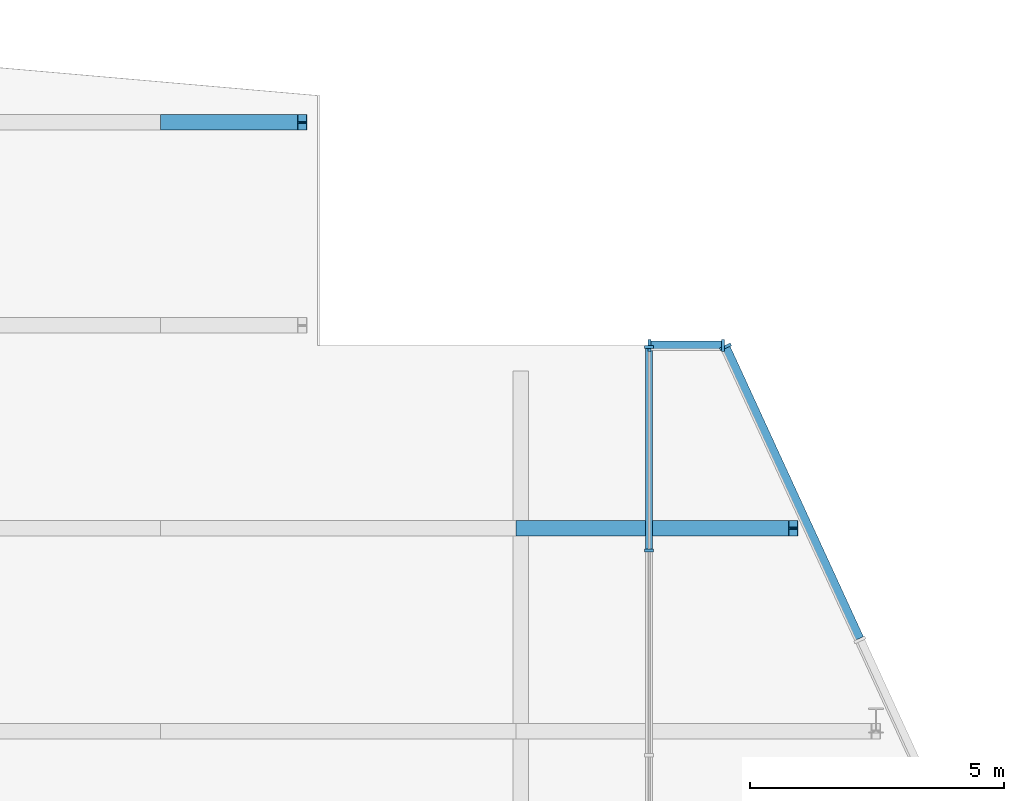
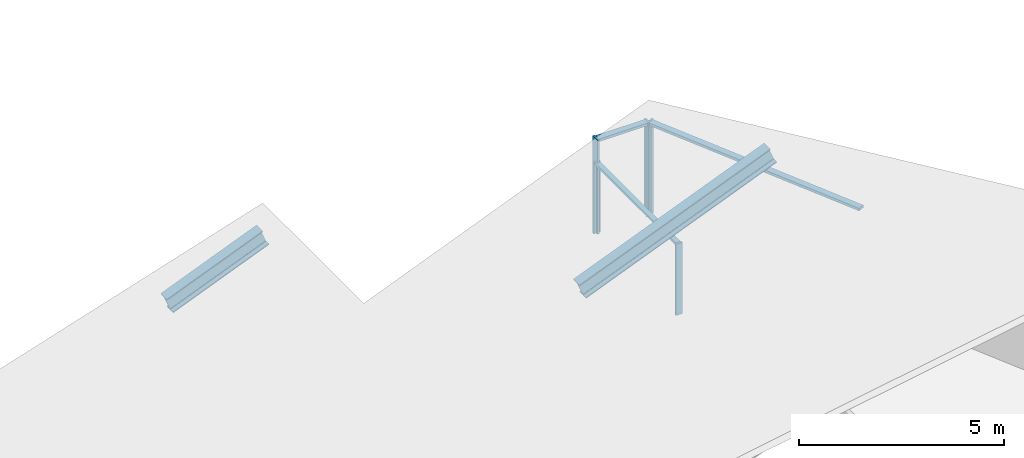
# One storey, part 6 of 8: 10 members, 3 elements without a shape of their own.
"""IFC4 building model written with IfcOpenShell, lengths in metres."""

from ifc_helpers import new_model, si_unit, direction, frame, origin, origin_2d, place, context, subcontext, project, spatial, rectangle, i_section, extrude, material, material_profile, profile_set, type_object, element, aggregate, save


model = new_model("IFC4")

# Units and contexts
model_context = context("Model", 3, precision=1e-05, world=origin(), true_north=direction((0.0, 1.0)))
body_context = subcontext(model_context, "Body", "Model", "MODEL_VIEW")
ifc_project = project(units=[si_unit("LENGTHUNIT", "METRE"), si_unit("AREAUNIT", "SQUARE_METRE"), si_unit("VOLUMEUNIT", "CUBIC_METRE"), si_unit("PLANEANGLEUNIT", "RADIAN"), si_unit("MASSUNIT", "GRAM", prefix="KILO")], contexts=[model_context])

# Site, building, storey
site_placement = place(None, origin())
site = spatial("IfcSite", under=ifc_project, at=site_placement, CompositionType="ELEMENT")
building_placement = place(site_placement, origin())
building = spatial("IfcBuilding", under=site, at=building_placement, Name="Wharfspan Tower", CompositionType="ELEMENT")
storey_placement = place(building_placement, frame((0.0, 0.0, 277.100098)))
storey = spatial("IfcBuildingStorey", under=building, at=storey_placement, Name="L71", CompositionType="ELEMENT", Elevation=277.100098)

# Curtain wall, members
ifc_material_1 = material(Name="Aluminium 6063-T6", Category="aluminium")
curtain_wall_type_1 = type_object("IfcCurtainWallType", Name="CURTAIN WALL CROWN GABLE", PredefinedType="NOTDEFINED", material=ifc_material_1)
curtain_wall_1_placement = place(storey_placement, origin())
curtain_wall_1 = element("IfcCurtainWall", 1, at=curtain_wall_1_placement, inside=storey, type_object=curtain_wall_type_1, Name="Crown gable glazing", PredefinedType="NOTDEFINED")
ifc_material_profile_1 = material_profile(ifc_material_1, rectangle(XDim=0.179932, YDim=0.060059, at=origin_2d()))
ifc_profile_set_1 = profile_set([ifc_material_profile_1], Name="Aluminium 6063-T6")
member_type_1 = type_object("IfcMemberType", Name="MULLION CROWN GABLE 60x180", PredefinedType="MULLION", material=ifc_profile_set_1)
member_1_placement = place(storey_placement, frame((60.531738, 39.563477, 0.0), z_axis=(0.0, 0.0, 1.0), x_axis=(-1.0, 0.0, 0.0)))
member_1 = element("IfcMember", 2, at=member_1_placement, type_object=member_type_1, Name="Crown gable glazing mullion 9", PredefinedType="MULLION", context=body_context, shape_type="SweptSolid", body=[
    extrude(rectangle(XDim=0.179932, YDim=0.060059, at=origin_2d()), origin(), (0.0, 0.0, 1.0), 2.124268),
])
member_2_placement = place(storey_placement, frame((60.531738, 43.570068, 0.0), z_axis=(0.0, 0.0, 1.0), x_axis=(-1.0, 0.0, 0.0)))
member_2 = element("IfcMember", 3, at=member_2_placement, type_object=member_type_1, Name="Crown gable glazing mullion 10", PredefinedType="MULLION", context=body_context, shape_type="SweptSolid", body=[
    extrude(rectangle(XDim=0.179932, YDim=0.060059, at=origin_2d()), origin(), (0.0, 0.0, 1.0), 2.124268),
])

# Curtain wall, member
curtain_wall_type_2 = type_object("IfcCurtainWallType", Name="CURTAIN WALL PROW AND END", PredefinedType="NOTDEFINED", material=ifc_material_1)
curtain_wall_2_placement = place(storey_placement, origin())
curtain_wall_2 = element("IfcCurtainWall", 4, at=curtain_wall_2_placement, inside=storey, type_object=curtain_wall_type_2, Name="Crown curtain wall E", PredefinedType="NOTDEFINED")
ifc_material_profile_2 = material_profile(ifc_material_1, rectangle(XDim=0.23999, YDim=0.060059, at=origin_2d()))
ifc_profile_set_2 = profile_set([ifc_material_profile_2], Name="Aluminium 6063-T6")
member_type_2 = type_object("IfcMemberType", Name="MULLION PROW AND END 60x240", PredefinedType="MULLION", material=ifc_profile_set_2)
member_3_placement = place(storey_placement, frame((62.032959, 43.572754, 0.0), z_axis=(0.0, 0.0, 1.0), x_axis=(-0.908769, -0.417292, 0.0)))
member_3 = element("IfcMember", 5, at=member_3_placement, type_object=member_type_2, Name="Crown curtain wall E mullion 7", PredefinedType="MULLION", context=body_context, shape_type="SweptSolid", body=[
    extrude(rectangle(XDim=0.23999, YDim=0.060059, at=origin_2d()), origin(), (0.0, 0.0, 1.0), 2.799805),
])

# Curtain wall, members
curtain_wall_3_placement = place(storey_placement, origin())
curtain_wall_3 = element("IfcCurtainWall", 6, at=curtain_wall_3_placement, inside=storey, type_object=curtain_wall_type_2, Name="Crown curtain wall NRE-H", PredefinedType="NOTDEFINED")
member_4_placement = place(storey_placement, frame((61.990479, 43.600098, 0.0), z_axis=(0.0, 0.0, 1.0), x_axis=(0.0, -1.0, 0.0)))
member_4 = element("IfcMember", 7, at=member_4_placement, type_object=member_type_2, Name="Crown curtain wall NRE-H mullion 1", PredefinedType="MULLION", context=body_context, shape_type="SweptSolid", body=[
    extrude(rectangle(XDim=0.23999, YDim=0.060059, at=origin_2d()), origin(), (0.0, 0.0, 1.0), 2.799805),
])
member_5_placement = place(storey_placement, frame((60.541748, 43.600098, 0.0), z_axis=(0.0, 0.0, 1.0), x_axis=(0.0, -1.0, 0.0)))
member_5 = element("IfcMember", 8, at=member_5_placement, type_object=member_type_2, Name="Crown curtain wall NRE-H mullion 2", PredefinedType="MULLION", context=body_context, shape_type="SweptSolid", body=[
    extrude(rectangle(XDim=0.23999, YDim=0.060059, at=origin_2d()), origin(), (0.0, 0.0, 1.0), 2.799805),
])

# Members
ifc_material_2 = material(Name="Steel S355J2", Category="steel")
ifc_material_profile_3 = material_profile(ifc_material_2, i_section(OverallWidth=0.300049, OverallDepth=0.5, WebThickness=0.014404, FlangeThickness=0.028076, FilletRadius=0.0271, at=origin_2d()))
ifc_profile_set_3 = profile_set([ifc_material_profile_3], Name="Steel S355J2")
member_type_3 = type_object("IfcMemberType", Name="Roof rafter HEB 500", PredefinedType="RAFTER", material=ifc_profile_set_3)
member_6_placement = place(storey_placement, frame((58.0, 40.0, 1.375977), z_axis=(0.927178, 0.0, 0.37462), x_axis=(0.0, 1.0, 0.0)))
element("IfcMember", 9, at=member_6_placement, inside=storey, type_object=member_type_3, Name="Roof rafter R9 bay 7", PredefinedType="RAFTER", context=body_context, shape_type="SweptSolid", body=[
    extrude(i_section(OverallWidth=0.300049, OverallDepth=0.5, WebThickness=0.014404, FlangeThickness=0.028076, FilletRadius=0.0271, at=origin_2d()), origin(), (0.0, 0.0, 1.0), 5.795654),
])
member_7_placement = place(storey_placement, frame((51.0, 48.0, -1.452148), z_axis=(0.927188, 0.0, 0.374598), x_axis=(0.0, 1.0, 0.0)))
element("IfcMember", 10, at=member_7_placement, inside=storey, type_object=member_type_3, Name="Roof rafter R11 bay 6", PredefinedType="RAFTER", context=body_context, shape_type="SweptSolid", body=[
    extrude(i_section(OverallWidth=0.300049, OverallDepth=0.5, WebThickness=0.014404, FlangeThickness=0.028076, FilletRadius=0.0271, at=origin_2d()), origin(), (0.0, 0.0, 1.0), 2.911865),
])

# Member
ifc_material_profile_4 = material_profile(ifc_material_1, rectangle(XDim=0.139893, YDim=0.070068, at=origin_2d()))
ifc_profile_set_4 = profile_set([ifc_material_profile_4], Name="Aluminium 6063-T6")
member_type_4 = type_object("IfcMemberType", Name="TRANSOM CROWN GABLE 70x140", PredefinedType="USERDEFINED", material=ifc_profile_set_4)
member_8_placement = place(storey_placement, frame((60.531738, 39.593506, 2.089355), z_axis=(0.0, 1.0, 0.0), x_axis=(-1.0, 0.0, 0.0)))
member_8 = element("IfcMember", 11, at=member_8_placement, type_object=member_type_4, Name="Crown gable glazing transom 9", ObjectType="TRANSOM", PredefinedType="USERDEFINED", context=body_context, shape_type="SweptSolid", body=[
    extrude(rectangle(XDim=0.139893, YDim=0.070068, at=origin_2d()), origin(), (0.0, 0.0, 1.0), 3.946533),
])

aggregate(curtain_wall_1, [member_1, member_2, member_8])

ifc_material_profile_5 = material_profile(ifc_material_1, rectangle(XDim=0.179932, YDim=0.080078, at=origin_2d()))
ifc_profile_set_5 = profile_set([ifc_material_profile_5], Name="Aluminium 6063-T6")
member_type_5 = type_object("IfcMemberType", Name="TRANSOM PROW AND END 80x180", PredefinedType="USERDEFINED", material=ifc_profile_set_5)
member_9_placement = place(storey_placement, frame((64.671143, 37.827148, 2.76001), z_axis=(-0.417293, 0.908772, 0.0), x_axis=(-0.908772, -0.417293, 0.0)))
member_9 = element("IfcMember", 12, at=member_9_placement, type_object=member_type_5, Name="Crown curtain wall E transom 6", ObjectType="TRANSOM", PredefinedType="USERDEFINED", context=body_context, shape_type="SweptSolid", body=[
    extrude(rectangle(XDim=0.179932, YDim=0.080078, at=origin_2d()), origin(), (0.0, 0.0, 1.0), 6.292236),
])

aggregate(curtain_wall_2, [member_3, member_9])

member_10_placement = place(storey_placement, frame((61.960449, 43.600098, 2.76001), z_axis=(-1.0, 0.0, 0.0), x_axis=(0.0, -1.0, 0.0)))
member_10 = element("IfcMember", 13, at=member_10_placement, type_object=member_type_5, Name="Crown curtain wall NRE-H transom 1", ObjectType="TRANSOM", PredefinedType="USERDEFINED", context=body_context, shape_type="SweptSolid", body=[
    extrude(rectangle(XDim=0.179932, YDim=0.080078, at=origin_2d()), origin(), (0.0, 0.0, 1.0), 1.388916),
])

aggregate(curtain_wall_3, [member_4, member_5, member_10])

save(model, "model.ifc")
